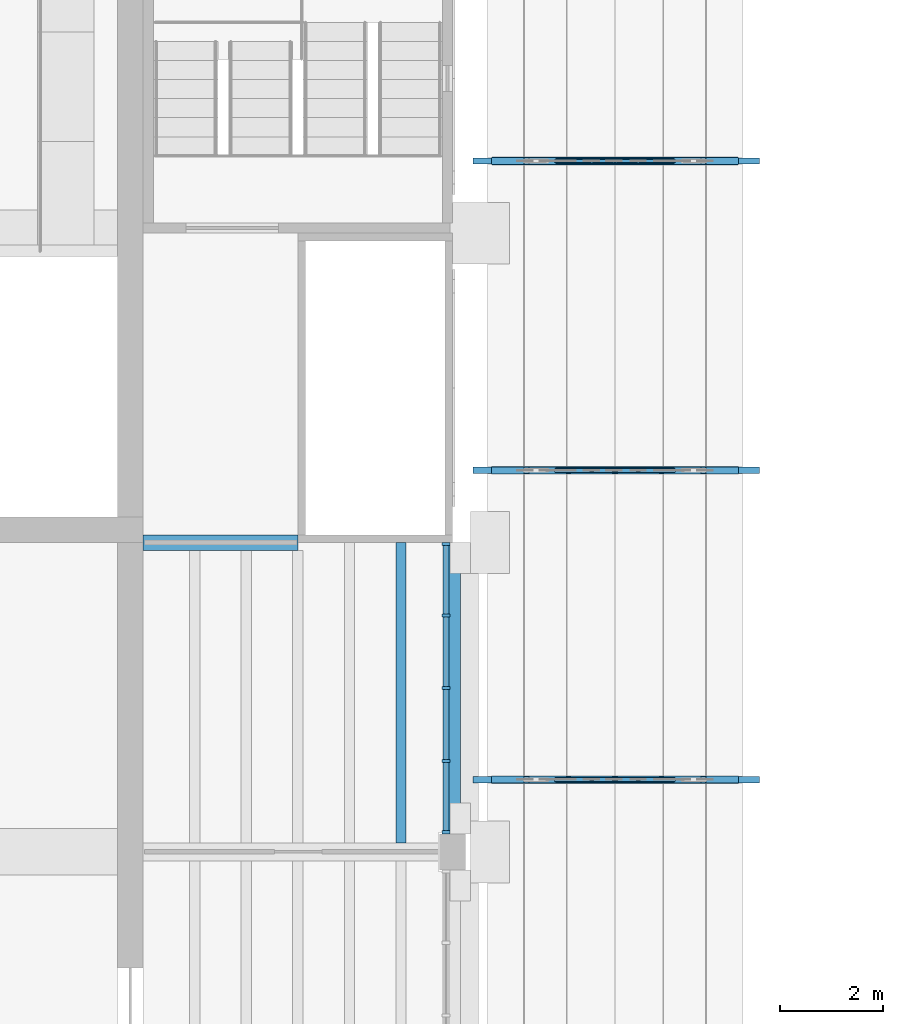
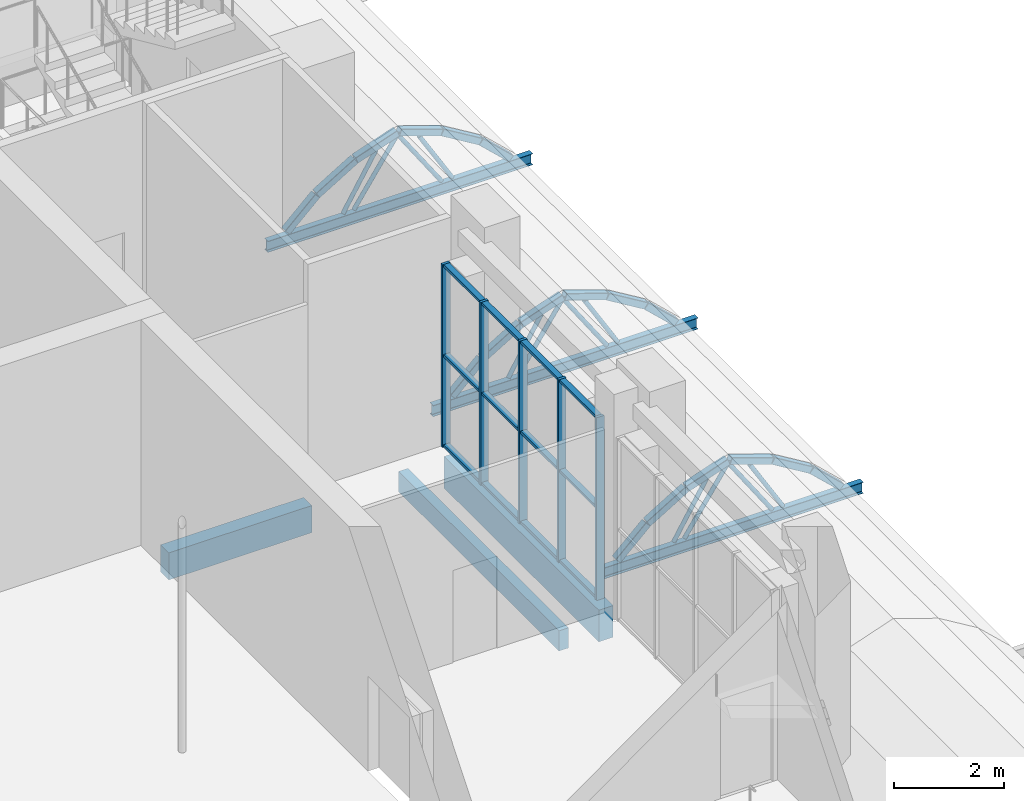
# One storey, part 17 of 80: 29 members, 24 beams, 1 element without a shape of its own.
"""IFC4 building model written with IfcOpenShell, lengths in metres."""

from ifc_helpers import new_model, si_unit, direction, frame, origin, origin_2d, place, context, subcontext, project, spatial, rectangle, hollow_rectangle, hollow_circle, i_section, extrude, material, material_profile, profile_set, type_object, element, aggregate, save


model = new_model("IFC4")

# Units and contexts
model_context = context("Model", 3, precision=1e-05, world=origin(), true_north=direction((0.0, 1.0)))
body_context = subcontext(model_context, "Body", "Model", "MODEL_VIEW")
ifc_project = project(units=[si_unit("LENGTHUNIT", "METRE"), si_unit("AREAUNIT", "SQUARE_METRE"), si_unit("VOLUMEUNIT", "CUBIC_METRE"), si_unit("PLANEANGLEUNIT", "RADIAN"), si_unit("MASSUNIT", "GRAM", prefix="KILO")], contexts=[model_context])

# Site, building, storey
site_placement = place(None, origin())
site = spatial("IfcSite", under=ifc_project, at=site_placement, CompositionType="ELEMENT")
building_placement = place(site_placement, origin())
building = spatial("IfcBuilding", under=site, at=building_placement, Name="Saffron Lane Theatres", CompositionType="ELEMENT")
storey_placement = place(building_placement, frame((0.0, 0.0, 7.0)))
storey = spatial("IfcBuildingStorey", under=building, at=storey_placement, Name="L01", CompositionType="ELEMENT", Elevation=7.0)

# Curtain wall, members
ifc_material_1 = material(Name="Aluminium", Category="aluminium")
curtain_wall_type = type_object("IfcCurtainWallType", Name="EX-CURTAIN WALL 5650x4050x160", PredefinedType="NOTDEFINED", material=ifc_material_1)
curtain_wall_placement = place(storey_placement, origin())
curtain_wall = element("IfcCurtainWall", 1, at=curtain_wall_placement, inside=storey, type_object=curtain_wall_type, Name="Curtain wall L01 13", PredefinedType="NOTDEFINED")
ifc_material_2 = material(Name="Aluminium", Category="aluminium")
ifc_material_profile_1 = material_profile(ifc_material_2, rectangle(XDim=0.06005859375, YDim=0.159912109375, at=origin_2d()))
ifc_profile_set_1 = profile_set([ifc_material_profile_1], Name="Aluminium")
member_type_1 = type_object("IfcMemberType", Name="EX-CW MULLION 60x160", PredefinedType="MULLION", material=ifc_profile_set_1)
member_1_placement = place(storey_placement, frame((53.8701171875, 53.969970703125, 0.0), z_axis=(0.0, 0.0, 1.0), x_axis=(0.0, -1.0, 0.0)))
member_1 = element("IfcMember", 2, at=member_1_placement, type_object=member_type_1, Name="CW-01-13 mullion 1", PredefinedType="MULLION", context=body_context, shape_type="SweptSolid", body=[
    extrude(rectangle(XDim=0.06005859375, YDim=0.159912109375, at=origin_2d()), origin(), (0.0, 0.0, 1.0), 4.050048828125),
])
member_2_placement = place(storey_placement, frame((53.8701171875, 52.58740234375, 0.0), z_axis=(0.0, 0.0, 1.0), x_axis=(0.0, -1.0, 0.0)))
member_2 = element("IfcMember", 3, at=member_2_placement, type_object=member_type_1, Name="CW-01-13 mullion 2", PredefinedType="MULLION", context=body_context, shape_type="SweptSolid", body=[
    extrude(rectangle(XDim=0.06005859375, YDim=0.159912109375, at=origin_2d()), origin(), (0.0, 0.0, 1.0), 4.050048828125),
])
member_3_placement = place(storey_placement, frame((53.8701171875, 51.175048828125, 0.0), z_axis=(0.0, 0.0, 1.0), x_axis=(0.0, -1.0, 0.0)))
member_3 = element("IfcMember", 4, at=member_3_placement, type_object=member_type_1, Name="CW-01-13 mullion 3", PredefinedType="MULLION", context=body_context, shape_type="SweptSolid", body=[
    extrude(rectangle(XDim=0.06005859375, YDim=0.159912109375, at=origin_2d()), origin(), (0.0, 0.0, 1.0), 4.050048828125),
])
member_4_placement = place(storey_placement, frame((53.8701171875, 49.762451171875, 0.0), z_axis=(0.0, 0.0, 1.0), x_axis=(0.0, -1.0, 0.0)))
member_4 = element("IfcMember", 5, at=member_4_placement, type_object=member_type_1, Name="CW-01-13 mullion 4", PredefinedType="MULLION", context=body_context, shape_type="SweptSolid", body=[
    extrude(rectangle(XDim=0.06005859375, YDim=0.159912109375, at=origin_2d()), origin(), (0.0, 0.0, 1.0), 4.050048828125),
])
member_5_placement = place(storey_placement, frame((53.8701171875, 48.380126953125, 0.0), z_axis=(0.0, 0.0, 1.0), x_axis=(0.0, -1.0, 0.0)))
member_5 = element("IfcMember", 6, at=member_5_placement, type_object=member_type_1, Name="CW-01-13 mullion 5", PredefinedType="MULLION", context=body_context, shape_type="SweptSolid", body=[
    extrude(rectangle(XDim=0.06005859375, YDim=0.159912109375, at=origin_2d()), origin(), (0.0, 0.0, 1.0), 4.050048828125),
])
ifc_material_3 = material(Name="Aluminium", Category="aluminium")
ifc_material_profile_2 = material_profile(ifc_material_3, rectangle(XDim=0.1201171875, YDim=0.06005859375, at=origin_2d()))
ifc_profile_set_2 = profile_set([ifc_material_profile_2], Name="Aluminium")
member_type_2 = type_object("IfcMemberType", Name="EX-CW TRANSOM 120x60", PredefinedType="USERDEFINED", material=ifc_profile_set_2)
member_6_placement = place(storey_placement, frame((53.8701171875, 53.93994140625, 0.030029296875), z_axis=(0.0, -1.0, 0.0), x_axis=(1.0, 0.0, 0.0)))
member_6 = element("IfcMember", 7, at=member_6_placement, type_object=member_type_2, Name="CW-01-13 transom 1.1", ObjectType="TRANSOM", PredefinedType="USERDEFINED", context=body_context, shape_type="SweptSolid", body=[
    extrude(rectangle(XDim=0.1201171875, YDim=0.06005859375, at=origin_2d()), origin(), (0.0, 0.0, 1.0), 1.322509765625),
])
member_7_placement = place(storey_placement, frame((53.8701171875, 53.93994140625, 2.02490234375), z_axis=(0.0, -1.0, 0.0), x_axis=(1.0, 0.0, 0.0)))
member_7 = element("IfcMember", 8, at=member_7_placement, type_object=member_type_2, Name="CW-01-13 transom 1.2", ObjectType="TRANSOM", PredefinedType="USERDEFINED", context=body_context, shape_type="SweptSolid", body=[
    extrude(rectangle(XDim=0.1201171875, YDim=0.06005859375, at=origin_2d()), origin(), (0.0, 0.0, 1.0), 1.322509765625),
])
member_8_placement = place(storey_placement, frame((53.8701171875, 53.93994140625, 4.02001953125), z_axis=(0.0, -1.0, 0.0), x_axis=(1.0, 0.0, 0.0)))
member_8 = element("IfcMember", 9, at=member_8_placement, type_object=member_type_2, Name="CW-01-13 transom 1.3", ObjectType="TRANSOM", PredefinedType="USERDEFINED", context=body_context, shape_type="SweptSolid", body=[
    extrude(rectangle(XDim=0.1201171875, YDim=0.06005859375, at=origin_2d()), origin(), (0.0, 0.0, 1.0), 1.322509765625),
])
member_9_placement = place(storey_placement, frame((53.8701171875, 52.5576171875, 0.030029296875), z_axis=(0.0, -1.0, 0.0), x_axis=(1.0, 0.0, 0.0)))
member_9 = element("IfcMember", 10, at=member_9_placement, type_object=member_type_2, Name="CW-01-13 transom 2.1", ObjectType="TRANSOM", PredefinedType="USERDEFINED", context=body_context, shape_type="SweptSolid", body=[
    extrude(rectangle(XDim=0.1201171875, YDim=0.06005859375, at=origin_2d()), origin(), (0.0, 0.0, 1.0), 1.3525390625),
])
member_10_placement = place(storey_placement, frame((53.8701171875, 52.5576171875, 2.02490234375), z_axis=(0.0, -1.0, 0.0), x_axis=(1.0, 0.0, 0.0)))
member_10 = element("IfcMember", 11, at=member_10_placement, type_object=member_type_2, Name="CW-01-13 transom 2.2", ObjectType="TRANSOM", PredefinedType="USERDEFINED", context=body_context, shape_type="SweptSolid", body=[
    extrude(rectangle(XDim=0.1201171875, YDim=0.06005859375, at=origin_2d()), origin(), (0.0, 0.0, 1.0), 1.3525390625),
])
member_11_placement = place(storey_placement, frame((53.8701171875, 52.5576171875, 4.02001953125), z_axis=(0.0, -1.0, 0.0), x_axis=(1.0, 0.0, 0.0)))
member_11 = element("IfcMember", 12, at=member_11_placement, type_object=member_type_2, Name="CW-01-13 transom 2.3", ObjectType="TRANSOM", PredefinedType="USERDEFINED", context=body_context, shape_type="SweptSolid", body=[
    extrude(rectangle(XDim=0.1201171875, YDim=0.06005859375, at=origin_2d()), origin(), (0.0, 0.0, 1.0), 1.3525390625),
])
member_12_placement = place(storey_placement, frame((53.8701171875, 51.14501953125, 0.030029296875), z_axis=(0.0, -1.0, 0.0), x_axis=(1.0, 0.0, 0.0)))
member_12 = element("IfcMember", 13, at=member_12_placement, type_object=member_type_2, Name="CW-01-13 transom 3.1", ObjectType="TRANSOM", PredefinedType="USERDEFINED", context=body_context, shape_type="SweptSolid", body=[
    extrude(rectangle(XDim=0.1201171875, YDim=0.06005859375, at=origin_2d()), origin(), (0.0, 0.0, 1.0), 1.3525390625),
])
member_13_placement = place(storey_placement, frame((53.8701171875, 51.14501953125, 2.02490234375), z_axis=(0.0, -1.0, 0.0), x_axis=(1.0, 0.0, 0.0)))
member_13 = element("IfcMember", 14, at=member_13_placement, type_object=member_type_2, Name="CW-01-13 transom 3.2", ObjectType="TRANSOM", PredefinedType="USERDEFINED", context=body_context, shape_type="SweptSolid", body=[
    extrude(rectangle(XDim=0.1201171875, YDim=0.06005859375, at=origin_2d()), origin(), (0.0, 0.0, 1.0), 1.3525390625),
])
member_14_placement = place(storey_placement, frame((53.8701171875, 51.14501953125, 4.02001953125), z_axis=(0.0, -1.0, 0.0), x_axis=(1.0, 0.0, 0.0)))
member_14 = element("IfcMember", 15, at=member_14_placement, type_object=member_type_2, Name="CW-01-13 transom 3.3", ObjectType="TRANSOM", PredefinedType="USERDEFINED", context=body_context, shape_type="SweptSolid", body=[
    extrude(rectangle(XDim=0.1201171875, YDim=0.06005859375, at=origin_2d()), origin(), (0.0, 0.0, 1.0), 1.3525390625),
])
member_15_placement = place(storey_placement, frame((53.8701171875, 49.732666015625, 0.030029296875), z_axis=(0.0, -1.0, 0.0), x_axis=(1.0, 0.0, 0.0)))
member_15 = element("IfcMember", 16, at=member_15_placement, type_object=member_type_2, Name="CW-01-13 transom 4.1", ObjectType="TRANSOM", PredefinedType="USERDEFINED", context=body_context, shape_type="SweptSolid", body=[
    extrude(rectangle(XDim=0.1201171875, YDim=0.06005859375, at=origin_2d()), origin(), (0.0, 0.0, 1.0), 1.322509765625),
])
member_16_placement = place(storey_placement, frame((53.8701171875, 49.732666015625, 2.02490234375), z_axis=(0.0, -1.0, 0.0), x_axis=(1.0, 0.0, 0.0)))
member_16 = element("IfcMember", 17, at=member_16_placement, type_object=member_type_2, Name="CW-01-13 transom 4.2", ObjectType="TRANSOM", PredefinedType="USERDEFINED", context=body_context, shape_type="SweptSolid", body=[
    extrude(rectangle(XDim=0.1201171875, YDim=0.06005859375, at=origin_2d()), origin(), (0.0, 0.0, 1.0), 1.322509765625),
])
member_17_placement = place(storey_placement, frame((53.8701171875, 49.732666015625, 4.02001953125), z_axis=(0.0, -1.0, 0.0), x_axis=(1.0, 0.0, 0.0)))
member_17 = element("IfcMember", 18, at=member_17_placement, type_object=member_type_2, Name="CW-01-13 transom 4.3", ObjectType="TRANSOM", PredefinedType="USERDEFINED", context=body_context, shape_type="SweptSolid", body=[
    extrude(rectangle(XDim=0.1201171875, YDim=0.06005859375, at=origin_2d()), origin(), (0.0, 0.0, 1.0), 1.322509765625),
])
aggregate(curtain_wall, [member_1, member_2, member_3, member_4, member_5, member_6, member_7, member_8, member_9, member_10, member_11, member_12, member_13, member_14, member_15, member_16, member_17])

# Beams
ifc_material_4 = material(Name="Concrete N40 (40 MPa)", Category="concrete")
ifc_material_profile_3 = material_profile(ifc_material_4, rectangle(XDim=0.300048828125, YDim=0.60009765625, at=origin_2d()))
ifc_profile_set_3 = profile_set([ifc_material_profile_3], Name="Concrete N40 (40 MPa)")
beam_type_1 = type_object("IfcBeamType", Name="RC-BEAM 300x600", PredefinedType="BEAM", material=ifc_profile_set_3)
beam_1_placement = place(storey_placement, frame((48.0, 54.0, -0.550048828125), z_axis=(1.0, 0.0, 0.0), x_axis=(0.0, 1.0, 0.0)))
element("IfcBeam", 19, at=beam_1_placement, inside=storey, type_object=beam_type_1, Name="beam-L01-x540-480", PredefinedType="BEAM", context=body_context, shape_type="SweptSolid", body=[
    extrude(rectangle(XDim=0.300048828125, YDim=0.60009765625, at=origin_2d()), origin(), (0.0, 0.0, 1.0), 3.0),
])
ifc_material_5 = material(Name="Concrete N40 (40 MPa)", Category="concrete")
ifc_material_profile_4 = material_profile(ifc_material_5, rectangle(XDim=0.300048828125, YDim=0.699951171875, at=origin_2d()))
ifc_profile_set_4 = profile_set([ifc_material_profile_4], Name="Concrete N40 (40 MPa)")
beam_type_2 = type_object("IfcBeamType", Name="RC-BEAM 300x700", PredefinedType="BEAM", material=ifc_profile_set_4)
beam_2_placement = place(storey_placement, frame((54.0, 48.375, -0.60009765625), z_axis=(0.0, 1.0, 0.0), x_axis=(-1.0, 0.0, 0.0)))
element("IfcBeam", 20, at=beam_2_placement, inside=storey, type_object=beam_type_2, Name="beam-L01-y540-484", PredefinedType="BEAM", context=body_context, shape_type="SweptSolid", body=[
    extrude(rectangle(XDim=0.300048828125, YDim=0.699951171875, at=origin_2d()), origin(), (0.0, 0.0, 1.0), 5.625),
])
ifc_material_6 = material(Name="Concrete N40 (40 MPa)", Category="concrete")
ifc_material_profile_5 = material_profile(ifc_material_6, rectangle(XDim=0.199951171875, YDim=0.449951171875, at=origin_2d()))
ifc_profile_set_5 = profile_set([ifc_material_profile_5], Name="Concrete N40 (40 MPa)")
beam_type_3 = type_object("IfcBeamType", Name="RC-JOIST 200x450", PredefinedType="JOIST", material=ifc_profile_set_5)
beam_3_placement = place(storey_placement, frame((53.0, 48.175048828125, -0.47509765625), z_axis=(0.0, 1.0, 0.0), x_axis=(-1.0, 0.0, 0.0)))
element("IfcBeam", 21, at=beam_3_placement, inside=storey, type_object=beam_type_3, Name="joist-L01-y5300-482", PredefinedType="JOIST", context=body_context, shape_type="SweptSolid", body=[
    extrude(rectangle(XDim=0.199951171875, YDim=0.449951171875, at=origin_2d()), origin(), (0.0, 0.0, 1.0), 5.824951171875),
])
ifc_material_7 = material(Name="Steel Grade 350", Category="steel")
ifc_material_profile_6 = material_profile(ifc_material_7, i_section(OverallWidth=0.1240234375, OverallDepth=0.248046875, WebThickness=0.0048828125, FlangeThickness=0.008056640625, FilletRadius=0.011962890625, at=origin_2d()))
ifc_profile_set_6 = profile_set([ifc_material_profile_6], Name="Steel Grade 350")
beam_type_4 = type_object("IfcBeamType", Name="ST-CANOPY BEAM 250UB25.7", PredefinedType="BEAM", material=ifc_profile_set_6)
for number, where, z_axis, x_axis, name in (
    (22, (54.39990234375, 49.39990234375, -0.25390625), (1.0, 0.0, 0.0), (0.0, 1.0, 0.0), "CB4"),
    (23, (54.39990234375, 55.39990234375, -0.25390625), (1.0, 0.0, 0.0), (0.0, 1.0, 0.0), "CB5"),
    (24, (54.39990234375, 61.39990234375, -0.25390625), (1.0, 0.0, 0.0), (0.0, 1.0, 0.0), "CB6"),
):
    element("IfcBeam", number, at=place(storey_placement, frame(where, z_axis=z_axis, x_axis=x_axis)), inside=storey, type_object=beam_type_4, Name=name, PredefinedType="BEAM", context=body_context, shape_type="SweptSolid", body=[
        extrude(i_section(OverallWidth=0.1240234375, OverallDepth=0.248046875, WebThickness=0.0048828125, FlangeThickness=0.008056640625, FilletRadius=0.011962890625, at=origin_2d()), origin(), (0.0, 0.0, 1.0), 5.550048828125),
    ])
ifc_material_8 = material(Name="Steel Grade 350", Category="steel")
ifc_material_profile_7 = material_profile(ifc_material_8, hollow_rectangle(XDim=0.14990234375, YDim=0.14990234375, WallThickness=0.009033203125, InnerFilletRadius=0.00439453125, OuterFilletRadius=0.013427734375, at=origin_2d()))
ifc_profile_set_7 = profile_set([ifc_material_profile_7], Name="Steel Grade 350")
beam_type_5 = type_object("IfcBeamType", Name="ST-PORTAL RIB 150x150x9 SHS", PredefinedType="USERDEFINED", material=ifc_profile_set_7)
beam_4_placement = place(storey_placement, frame((54.807861328125, 49.39990234375, -0.075439453125), z_axis=(0.727908671932, 0.0, 0.685674095563), x_axis=(0.0, 1.0, 0.0)))
element("IfcBeam", 25, at=beam_4_placement, inside=storey, type_object=beam_type_5, Name="PR4A", ObjectType="PORTAL RIB", PredefinedType="USERDEFINED", context=body_context, shape_type="SweptSolid", body=[
    extrude(hollow_rectangle(XDim=0.14990234375, YDim=0.14990234375, WallThickness=0.009033203125, InnerFilletRadius=0.00439453125, OuterFilletRadius=0.013427734375, at=origin_2d()), origin(), (0.0, 0.0, 1.0), 0.861328125),
])
beam_5_placement = place(storey_placement, frame((55.447509765625, 49.39990234375, 0.52490234375), z_axis=(0.85587209681, 0.0, 0.517187542292), x_axis=(0.0, 1.0, 0.0)))
element("IfcBeam", 26, at=beam_5_placement, inside=storey, type_object=beam_type_5, Name="PR4B", ObjectType="PORTAL RIB", PredefinedType="USERDEFINED", context=body_context, shape_type="SweptSolid", body=[
    extrude(hollow_rectangle(XDim=0.14990234375, YDim=0.14990234375, WallThickness=0.009033203125, InnerFilletRadius=0.00439453125, OuterFilletRadius=0.013427734375, at=origin_2d()), origin(), (0.0, 0.0, 1.0), 0.932861328125),
])
beam_6_placement = place(storey_placement, frame((56.26025390625, 49.39990234375, 1.013916015625), z_axis=(0.945625061325, 0.0, 0.325258733001), x_axis=(0.0, 1.0, 0.0)))
element("IfcBeam", 27, at=beam_6_placement, inside=storey, type_object=beam_type_5, Name="PR4C", ObjectType="PORTAL RIB", PredefinedType="USERDEFINED", context=body_context, shape_type="SweptSolid", body=[
    extrude(hollow_rectangle(XDim=0.14990234375, YDim=0.14990234375, WallThickness=0.009033203125, InnerFilletRadius=0.00439453125, OuterFilletRadius=0.013427734375, at=origin_2d()), origin(), (0.0, 0.0, 1.0), 0.9150390625),
])
beam_7_placement = place(storey_placement, frame((57.17431640625, 49.39990234375, 1.3115234375), z_axis=(0.945653278846, 0.0, -0.325176684602), x_axis=(0.0, 1.0, 0.0)))
element("IfcBeam", 28, at=beam_7_placement, inside=storey, type_object=beam_type_5, Name="PR4D", ObjectType="PORTAL RIB", PredefinedType="USERDEFINED", context=body_context, shape_type="SweptSolid", body=[
    extrude(hollow_rectangle(XDim=0.14990234375, YDim=0.14990234375, WallThickness=0.009033203125, InnerFilletRadius=0.00439453125, OuterFilletRadius=0.013427734375, at=origin_2d()), origin(), (0.0, 0.0, 1.0), 0.915283203125),
])
beam_8_placement = place(storey_placement, frame((58.05419921875, 49.39990234375, 1.00732421875), z_axis=(0.85587209681, 0.0, -0.517187542292), x_axis=(0.0, 1.0, 0.0)))
element("IfcBeam", 29, at=beam_8_placement, inside=storey, type_object=beam_type_5, Name="PR4E", ObjectType="PORTAL RIB", PredefinedType="USERDEFINED", context=body_context, shape_type="SweptSolid", body=[
    extrude(hollow_rectangle(XDim=0.14990234375, YDim=0.14990234375, WallThickness=0.009033203125, InnerFilletRadius=0.00439453125, OuterFilletRadius=0.013427734375, at=origin_2d()), origin(), (0.0, 0.0, 1.0), 0.932861328125),
])
for number, where, z_axis, x_axis, name in (
    (30, (58.865234375, 49.39990234375, 0.51513671875), (0.727908671932, 0.0, -0.685674095563), (0.0, 1.0, 0.0), "PR4F"),
    (31, (54.807861328125, 55.39990234375, -0.075439453125), (0.727908671932, 0.0, 0.685674095563), (0.0, 1.0, 0.0), "PR5A"),
):
    element("IfcBeam", number, at=place(storey_placement, frame(where, z_axis=z_axis, x_axis=x_axis)), inside=storey, type_object=beam_type_5, Name=name, ObjectType="PORTAL RIB", PredefinedType="USERDEFINED", context=body_context, shape_type="SweptSolid", body=[
        extrude(hollow_rectangle(XDim=0.14990234375, YDim=0.14990234375, WallThickness=0.009033203125, InnerFilletRadius=0.00439453125, OuterFilletRadius=0.013427734375, at=origin_2d()), origin(), (0.0, 0.0, 1.0), 0.861328125),
    ])
beam_9_placement = place(storey_placement, frame((55.447509765625, 55.39990234375, 0.52490234375), z_axis=(0.85587209681, 0.0, 0.517187542292), x_axis=(0.0, 1.0, 0.0)))
element("IfcBeam", 32, at=beam_9_placement, inside=storey, type_object=beam_type_5, Name="PR5B", ObjectType="PORTAL RIB", PredefinedType="USERDEFINED", context=body_context, shape_type="SweptSolid", body=[
    extrude(hollow_rectangle(XDim=0.14990234375, YDim=0.14990234375, WallThickness=0.009033203125, InnerFilletRadius=0.00439453125, OuterFilletRadius=0.013427734375, at=origin_2d()), origin(), (0.0, 0.0, 1.0), 0.932861328125),
])
beam_10_placement = place(storey_placement, frame((56.26025390625, 55.39990234375, 1.013916015625), z_axis=(0.945625061325, 0.0, 0.325258733001), x_axis=(0.0, 1.0, 0.0)))
element("IfcBeam", 33, at=beam_10_placement, inside=storey, type_object=beam_type_5, Name="PR5C", ObjectType="PORTAL RIB", PredefinedType="USERDEFINED", context=body_context, shape_type="SweptSolid", body=[
    extrude(hollow_rectangle(XDim=0.14990234375, YDim=0.14990234375, WallThickness=0.009033203125, InnerFilletRadius=0.00439453125, OuterFilletRadius=0.013427734375, at=origin_2d()), origin(), (0.0, 0.0, 1.0), 0.9150390625),
])
beam_11_placement = place(storey_placement, frame((57.17431640625, 55.39990234375, 1.3115234375), z_axis=(0.945653278846, 0.0, -0.325176684602), x_axis=(0.0, 1.0, 0.0)))
element("IfcBeam", 34, at=beam_11_placement, inside=storey, type_object=beam_type_5, Name="PR5D", ObjectType="PORTAL RIB", PredefinedType="USERDEFINED", context=body_context, shape_type="SweptSolid", body=[
    extrude(hollow_rectangle(XDim=0.14990234375, YDim=0.14990234375, WallThickness=0.009033203125, InnerFilletRadius=0.00439453125, OuterFilletRadius=0.013427734375, at=origin_2d()), origin(), (0.0, 0.0, 1.0), 0.915283203125),
])
beam_12_placement = place(storey_placement, frame((58.05419921875, 55.39990234375, 1.00732421875), z_axis=(0.85587209681, 0.0, -0.517187542292), x_axis=(0.0, 1.0, 0.0)))
element("IfcBeam", 35, at=beam_12_placement, inside=storey, type_object=beam_type_5, Name="PR5E", ObjectType="PORTAL RIB", PredefinedType="USERDEFINED", context=body_context, shape_type="SweptSolid", body=[
    extrude(hollow_rectangle(XDim=0.14990234375, YDim=0.14990234375, WallThickness=0.009033203125, InnerFilletRadius=0.00439453125, OuterFilletRadius=0.013427734375, at=origin_2d()), origin(), (0.0, 0.0, 1.0), 0.932861328125),
])
for number, where, z_axis, x_axis, name in (
    (36, (58.865234375, 55.39990234375, 0.51513671875), (0.727908671932, 0.0, -0.685674095563), (0.0, 1.0, 0.0), "PR5F"),
    (37, (54.807861328125, 61.39990234375, -0.075439453125), (0.727908671932, 0.0, 0.685674095563), (0.0, 1.0, 0.0), "PR6A"),
):
    element("IfcBeam", number, at=place(storey_placement, frame(where, z_axis=z_axis, x_axis=x_axis)), inside=storey, type_object=beam_type_5, Name=name, ObjectType="PORTAL RIB", PredefinedType="USERDEFINED", context=body_context, shape_type="SweptSolid", body=[
        extrude(hollow_rectangle(XDim=0.14990234375, YDim=0.14990234375, WallThickness=0.009033203125, InnerFilletRadius=0.00439453125, OuterFilletRadius=0.013427734375, at=origin_2d()), origin(), (0.0, 0.0, 1.0), 0.861328125),
    ])
beam_13_placement = place(storey_placement, frame((55.447509765625, 61.39990234375, 0.52490234375), z_axis=(0.85587209681, 0.0, 0.517187542292), x_axis=(0.0, 1.0, 0.0)))
element("IfcBeam", 38, at=beam_13_placement, inside=storey, type_object=beam_type_5, Name="PR6B", ObjectType="PORTAL RIB", PredefinedType="USERDEFINED", context=body_context, shape_type="SweptSolid", body=[
    extrude(hollow_rectangle(XDim=0.14990234375, YDim=0.14990234375, WallThickness=0.009033203125, InnerFilletRadius=0.00439453125, OuterFilletRadius=0.013427734375, at=origin_2d()), origin(), (0.0, 0.0, 1.0), 0.932861328125),
])
beam_14_placement = place(storey_placement, frame((56.26025390625, 61.39990234375, 1.013916015625), z_axis=(0.945625061325, 0.0, 0.325258733001), x_axis=(0.0, 1.0, 0.0)))
element("IfcBeam", 39, at=beam_14_placement, inside=storey, type_object=beam_type_5, Name="PR6C", ObjectType="PORTAL RIB", PredefinedType="USERDEFINED", context=body_context, shape_type="SweptSolid", body=[
    extrude(hollow_rectangle(XDim=0.14990234375, YDim=0.14990234375, WallThickness=0.009033203125, InnerFilletRadius=0.00439453125, OuterFilletRadius=0.013427734375, at=origin_2d()), origin(), (0.0, 0.0, 1.0), 0.9150390625),
])
beam_15_placement = place(storey_placement, frame((57.17431640625, 61.39990234375, 1.3115234375), z_axis=(0.945653278846, 0.0, -0.325176684602), x_axis=(0.0, 1.0, 0.0)))
element("IfcBeam", 40, at=beam_15_placement, inside=storey, type_object=beam_type_5, Name="PR6D", ObjectType="PORTAL RIB", PredefinedType="USERDEFINED", context=body_context, shape_type="SweptSolid", body=[
    extrude(hollow_rectangle(XDim=0.14990234375, YDim=0.14990234375, WallThickness=0.009033203125, InnerFilletRadius=0.00439453125, OuterFilletRadius=0.013427734375, at=origin_2d()), origin(), (0.0, 0.0, 1.0), 0.915283203125),
])
beam_16_placement = place(storey_placement, frame((58.05419921875, 61.39990234375, 1.00732421875), z_axis=(0.85587209681, 0.0, -0.517187542292), x_axis=(0.0, 1.0, 0.0)))
element("IfcBeam", 41, at=beam_16_placement, inside=storey, type_object=beam_type_5, Name="PR6E", ObjectType="PORTAL RIB", PredefinedType="USERDEFINED", context=body_context, shape_type="SweptSolid", body=[
    extrude(hollow_rectangle(XDim=0.14990234375, YDim=0.14990234375, WallThickness=0.009033203125, InnerFilletRadius=0.00439453125, OuterFilletRadius=0.013427734375, at=origin_2d()), origin(), (0.0, 0.0, 1.0), 0.932861328125),
])
beam_17_placement = place(storey_placement, frame((58.865234375, 61.39990234375, 0.51513671875), z_axis=(0.727908671932, 0.0, -0.685674095563), x_axis=(0.0, 1.0, 0.0)))
element("IfcBeam", 42, at=beam_17_placement, inside=storey, type_object=beam_type_5, Name="PR6F", ObjectType="PORTAL RIB", PredefinedType="USERDEFINED", context=body_context, shape_type="SweptSolid", body=[
    extrude(hollow_rectangle(XDim=0.14990234375, YDim=0.14990234375, WallThickness=0.009033203125, InnerFilletRadius=0.00439453125, OuterFilletRadius=0.013427734375, at=origin_2d()), origin(), (0.0, 0.0, 1.0), 0.861328125),
])

# Members
ifc_material_9 = material(Name="Steel Grade 350", Category="steel")
ifc_material_profile_8 = material_profile(ifc_material_9, hollow_circle(Radius=0.04443359375, WallThickness=0.005859375, at=origin_2d()))
ifc_profile_set_8 = profile_set([ifc_material_profile_8], Name="Steel Grade 350")
member_type_3 = type_object("IfcMemberType", Name="ST-VAULT BRACE 88.9x5.9 CHS", PredefinedType="BRACE", material=ifc_profile_set_8)
member_18_placement = place(storey_placement, frame((56.009033203125, 49.39990234375, -0.107177734375), z_axis=(0.512121126852, 0.0, 0.858913238594), x_axis=(0.0, 1.0, 0.0)))
element("IfcMember", 43, at=member_18_placement, inside=storey, type_object=member_type_3, Name="PS4-2", PredefinedType="BRACE", context=body_context, shape_type="SweptSolid", body=[
    extrude(hollow_circle(Radius=0.04443359375, WallThickness=0.005859375, at=origin_2d()), origin(), (0.0, 0.0, 1.0), 1.3466796875),
])
member_19_placement = place(storey_placement, frame((58.291015625, 49.39990234375, -0.107177734375), z_axis=(-0.512254845616, 0.0, 0.858833495587), x_axis=(0.0, -1.0, 0.0)))
element("IfcMember", 44, at=member_19_placement, inside=storey, type_object=member_type_3, Name="PS4-3", PredefinedType="BRACE", context=body_context, shape_type="SweptSolid", body=[
    extrude(hollow_circle(Radius=0.04443359375, WallThickness=0.005859375, at=origin_2d()), origin(), (0.0, 0.0, 1.0), 1.346923828125),
])
member_20_placement = place(storey_placement, frame((56.009033203125, 55.39990234375, -0.107177734375), z_axis=(0.512121126852, 0.0, 0.858913238594), x_axis=(0.0, 1.0, 0.0)))
element("IfcMember", 45, at=member_20_placement, inside=storey, type_object=member_type_3, Name="PS5-2", PredefinedType="BRACE", context=body_context, shape_type="SweptSolid", body=[
    extrude(hollow_circle(Radius=0.04443359375, WallThickness=0.005859375, at=origin_2d()), origin(), (0.0, 0.0, 1.0), 1.3466796875),
])
member_21_placement = place(storey_placement, frame((58.291015625, 55.39990234375, -0.107177734375), z_axis=(-0.512254845616, 0.0, 0.858833495587), x_axis=(0.0, -1.0, 0.0)))
element("IfcMember", 46, at=member_21_placement, inside=storey, type_object=member_type_3, Name="PS5-3", PredefinedType="BRACE", context=body_context, shape_type="SweptSolid", body=[
    extrude(hollow_circle(Radius=0.04443359375, WallThickness=0.005859375, at=origin_2d()), origin(), (0.0, 0.0, 1.0), 1.346923828125),
])
member_22_placement = place(storey_placement, frame((56.009033203125, 61.39990234375, -0.107177734375), z_axis=(0.512121126852, 0.0, 0.858913238594), x_axis=(0.0, 1.0, 0.0)))
element("IfcMember", 47, at=member_22_placement, inside=storey, type_object=member_type_3, Name="PS6-2", PredefinedType="BRACE", context=body_context, shape_type="SweptSolid", body=[
    extrude(hollow_circle(Radius=0.04443359375, WallThickness=0.005859375, at=origin_2d()), origin(), (0.0, 0.0, 1.0), 1.3466796875),
])
member_23_placement = place(storey_placement, frame((58.291015625, 61.39990234375, -0.107177734375), z_axis=(-0.512254845616, 0.0, 0.858833495587), x_axis=(0.0, -1.0, 0.0)))
element("IfcMember", 48, at=member_23_placement, inside=storey, type_object=member_type_3, Name="PS6-3", PredefinedType="BRACE", context=body_context, shape_type="SweptSolid", body=[
    extrude(hollow_circle(Radius=0.04443359375, WallThickness=0.005859375, at=origin_2d()), origin(), (0.0, 0.0, 1.0), 1.346923828125),
])
member_24_placement = place(storey_placement, frame((56.234619140625, 49.39990234375, -0.10498046875), z_axis=(0.561229138004, 0.0, 0.827660470637), x_axis=(0.0, 1.0, 0.0)))
element("IfcMember", 49, at=member_24_placement, inside=storey, type_object=member_type_3, Name="PA4-1", PredefinedType="BRACE", context=body_context, shape_type="SweptSolid", body=[
    extrude(hollow_circle(Radius=0.04443359375, WallThickness=0.005859375, at=origin_2d()), origin(), (0.0, 0.0, 1.0), 1.600830078125),
])
member_25_placement = place(storey_placement, frame((58.065185546875, 49.39990234375, -0.10498046875), z_axis=(-0.561124653333, 0.0, 0.827731311128), x_axis=(0.0, -1.0, 0.0)))
element("IfcMember", 50, at=member_25_placement, inside=storey, type_object=member_type_3, Name="PA4-2", PredefinedType="BRACE", context=body_context, shape_type="SweptSolid", body=[
    extrude(hollow_circle(Radius=0.04443359375, WallThickness=0.005859375, at=origin_2d()), origin(), (0.0, 0.0, 1.0), 1.6005859375),
])
member_26_placement = place(storey_placement, frame((56.234619140625, 55.39990234375, -0.10498046875), z_axis=(0.561229138004, 0.0, 0.827660470637), x_axis=(0.0, 1.0, 0.0)))
element("IfcMember", 51, at=member_26_placement, inside=storey, type_object=member_type_3, Name="PA5-1", PredefinedType="BRACE", context=body_context, shape_type="SweptSolid", body=[
    extrude(hollow_circle(Radius=0.04443359375, WallThickness=0.005859375, at=origin_2d()), origin(), (0.0, 0.0, 1.0), 1.600830078125),
])
member_27_placement = place(storey_placement, frame((58.065185546875, 55.39990234375, -0.10498046875), z_axis=(-0.561124653333, 0.0, 0.827731311128), x_axis=(0.0, -1.0, 0.0)))
element("IfcMember", 52, at=member_27_placement, inside=storey, type_object=member_type_3, Name="PA5-2", PredefinedType="BRACE", context=body_context, shape_type="SweptSolid", body=[
    extrude(hollow_circle(Radius=0.04443359375, WallThickness=0.005859375, at=origin_2d()), origin(), (0.0, 0.0, 1.0), 1.6005859375),
])
member_28_placement = place(storey_placement, frame((56.234619140625, 61.39990234375, -0.10498046875), z_axis=(0.561229138004, 0.0, 0.827660470637), x_axis=(0.0, 1.0, 0.0)))
element("IfcMember", 53, at=member_28_placement, inside=storey, type_object=member_type_3, Name="PA6-1", PredefinedType="BRACE", context=body_context, shape_type="SweptSolid", body=[
    extrude(hollow_circle(Radius=0.04443359375, WallThickness=0.005859375, at=origin_2d()), origin(), (0.0, 0.0, 1.0), 1.600830078125),
])
member_29_placement = place(storey_placement, frame((58.065185546875, 61.39990234375, -0.10498046875), z_axis=(-0.561124653333, 0.0, 0.827731311128), x_axis=(0.0, -1.0, 0.0)))
element("IfcMember", 54, at=member_29_placement, inside=storey, type_object=member_type_3, Name="PA6-2", PredefinedType="BRACE", context=body_context, shape_type="SweptSolid", body=[
    extrude(hollow_circle(Radius=0.04443359375, WallThickness=0.005859375, at=origin_2d()), origin(), (0.0, 0.0, 1.0), 1.6005859375),
])

save(model, "model.ifc")
